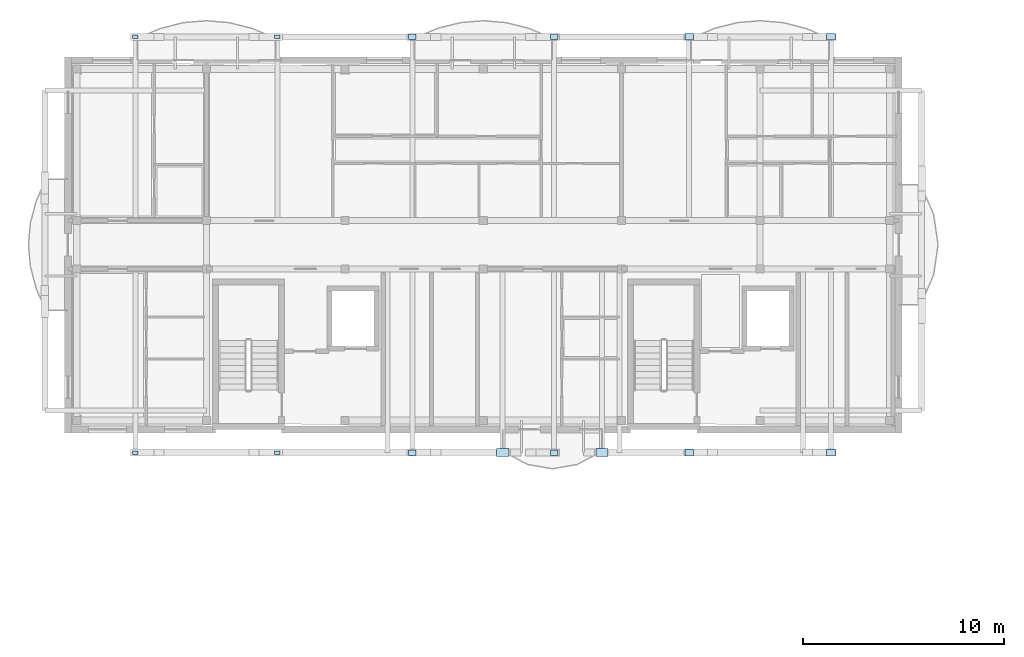
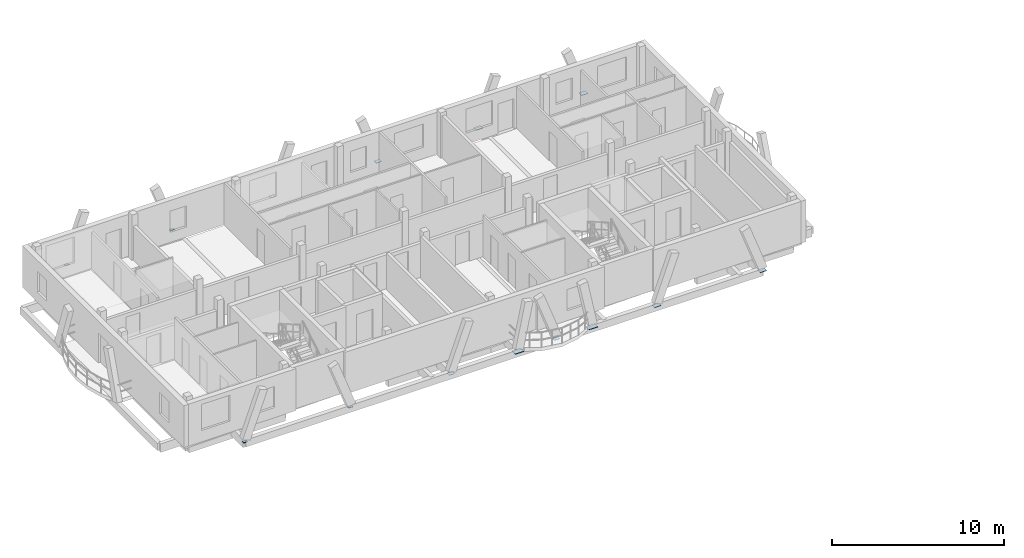
# One storey, part 8 of 21: 14 plates.
"""IFC4 building model written with IfcOpenShell, lengths in metres."""

import ifcopenshell
import ifcopenshell.guid

model = None  # the IFC model being written
_history = None  # IfcOwnerHistory: only IFC2X3 demands one
_inside = {}  # id of a spatial element -> (the spatial element, [elements in it])
_under = {}  # id of a project, library or spatial element -> (it, [spatial elements below it])
_declared = {}  # id of a project -> (the project, [libraries it declares])
_typed = {}  # id of a type object -> (the type object, [elements of that type])
_made_of = {}  # id of a material, layer set ... -> (it, [elements and type objects made of it])


def new_model(schema):
    """Start an empty IFC model of exactly this schema.

    Asked for "IFC4X3", IfcOpenShell would pick the latest addendum, in which some entities
    have other attributes; the version numbers below select the first issue.
    IFC2X3 requires an IfcOwnerHistory on every rooted entity: one is made here for all.
    """
    global model, _history
    if schema == "IFC4X3":
        model = ifcopenshell.file(schema_version=(4, 3, 0, 0))
    else:
        model = ifcopenshell.file(schema=schema)
    _inside.clear()
    _under.clear()
    _declared.clear()
    _typed.clear()
    _made_of.clear()
    _history = None
    if model.schema == "IFC2X3":
        org = make("IfcOrganization", Name="unknown")
        user = make(
            "IfcPersonAndOrganization",
            ThePerson=make("IfcPerson", FamilyName="unknown"),
            TheOrganization=org,
        )
        app = make(
            "IfcApplication",
            ApplicationDeveloper=org,
            Version="unknown",
            ApplicationFullName="unknown",
            ApplicationIdentifier="unknown",
        )
        _history = make(
            "IfcOwnerHistory",
            OwningUser=user,
            OwningApplication=app,
            ChangeAction="ADDED",
            CreationDate=0,
        )
    return model


def make(cls, **values):
    """One entity of the class cls with the attributes given. An attribute that is None is left unset."""
    return model.create_entity(
        cls, **{name: value for name, value in values.items() if value is not None}
    )


def rooted(cls, **values):
    """An entity with a GlobalId (a new one), such as an element, a storey or a relation."""
    return make(cls, GlobalId=ifcopenshell.guid.new(), OwnerHistory=_history, **values)


def si_unit(unit_type, name, prefix=None):
    """IfcSIUnit, for example si_unit("LENGTHUNIT", "METRE", prefix="MILLI")."""
    return make("IfcSIUnit", UnitType=unit_type, Prefix=prefix, Name=name)


def assignment(units):
    """IfcUnitAssignment: the units of a project."""
    return None if units is None else make("IfcUnitAssignment", Units=units)


def point(xyz):
    """IfcCartesianPoint."""
    return None if xyz is None else make("IfcCartesianPoint", Coordinates=xyz)


def direction(xyz):
    """IfcDirection."""
    return None if xyz is None else make("IfcDirection", DirectionRatios=xyz)


def frame(location, z_axis=None, x_axis=None):
    """IfcAxis2Placement3D, a coordinate frame: its origin and axes. An axis left out is left unset."""
    return make(
        "IfcAxis2Placement3D",
        Location=point(location),
        Axis=direction(z_axis),
        RefDirection=direction(x_axis),
    )


def frame_2d(location, x_axis=None):
    """IfcAxis2Placement2D, a coordinate frame in the plane: its origin and x axis."""
    return make(
        "IfcAxis2Placement2D", Location=point(location), RefDirection=direction(x_axis)
    )


def origin():
    """The frame at (0, 0, 0) with its axes left unset."""
    return frame((0.0, 0.0, 0.0))


def origin_2d():
    """The frame at (0, 0) in the plane with its x axis left unset."""
    return frame_2d((0.0, 0.0))


def place(relative_to, where):
    """IfcLocalPlacement: puts the frame where relative to a parent placement (None: the world)."""
    return make(
        "IfcLocalPlacement", PlacementRelTo=relative_to, RelativePlacement=where
    )


def context(
    kind, dimensions, precision=None, world=None, true_north=None, identifier=None
):
    """IfcGeometricRepresentationContext, for example the 3D "Model" context."""
    return make(
        "IfcGeometricRepresentationContext",
        ContextIdentifier=identifier,
        ContextType=kind,
        CoordinateSpaceDimension=dimensions,
        Precision=precision,
        WorldCoordinateSystem=world,
        TrueNorth=true_north,
    )


def subcontext(parent, identifier, kind, view, scale=None):
    """IfcGeometricRepresentationSubContext, for example "Body" below "Model"."""
    return make(
        "IfcGeometricRepresentationSubContext",
        ContextIdentifier=identifier,
        ContextType=kind,
        ParentContext=parent,
        TargetScale=scale,
        TargetView=view,
    )


def project(units=None, contexts=None):
    """IfcProject with its units and contexts."""
    return rooted(
        "IfcProject",
        Name="project",
        RepresentationContexts=contexts,
        UnitsInContext=assignment(units),
    )


def spatial(cls, under=None, at=None, **own):
    """A site, building, storey or space (cls), placed at a placement, below another one or the project."""
    s = rooted(cls, ObjectPlacement=at, **own)
    if under is not None:
        _under.setdefault(under.id(), (under, []))[1].append(s)
    return s


def profile(cls, at=None, kind="AREA", **sizes):
    """A parametric profile (cls). Its sizes go by their IFC names, for example OverallWidth=200.0."""
    return make(cls, ProfileType=kind, Position=at, **sizes)


def rectangle(**sizes):
    """IfcRectangleProfileDef."""
    return profile("IfcRectangleProfileDef", **sizes)


def extrude(swept, where, along, depth):
    """IfcExtrudedAreaSolid: the profile swept, set in the frame where, extruded along a direction by depth."""
    return make(
        "IfcExtrudedAreaSolid",
        SweptArea=swept,
        Position=where,
        ExtrudedDirection=direction(along),
        Depth=depth,
    )


def shape(context_of_items, identifier, shape_type, items):
    """IfcShapeRepresentation: the items that make up one representation, for example the "Body"."""
    return make(
        "IfcShapeRepresentation",
        ContextOfItems=context_of_items,
        RepresentationIdentifier=identifier,
        RepresentationType=shape_type,
        Items=items,
    )


def material(Name=None, Category=None):
    """IfcMaterial."""
    return make("IfcMaterial", Name=Name, Category=Category)


def layer(
    of_material, thickness, ventilated=None, Name=None, Category=None, Priority=None
):
    """IfcMaterialLayer: one layer of a wall or slab, of a material (None: an air gap)."""
    return make(
        "IfcMaterialLayer",
        Material=of_material,
        LayerThickness=thickness,
        IsVentilated=ventilated,
        Name=Name,
        Category=Category,
        Priority=Priority,
    )


def layer_set(layers, Name=None):
    """IfcMaterialLayerSet."""
    return make("IfcMaterialLayerSet", MaterialLayers=layers, LayerSetName=Name)


def made_of(thing, what):
    """Note that an element or type object is made of a material, layer set ...; save() writes the relation."""
    if what is not None:
        _made_of.setdefault(what.id(), (what, []))[1].append(thing)
    return thing


def type_object(cls, material=None, **own):
    """A type object (cls), such as IfcWallType, which elements share."""
    return made_of(rooted(cls, **own), material)


def element(
    cls,
    number,
    at=None,
    inside=None,
    cuts=None,
    type_object=None,
    material=None,
    context=None,
    identifier="Body",
    shape_type=None,
    held_by="IfcProductDefinitionShape",
    body=None,
    shapes=None,
    **own,
):
    """One element of the class cls, such as IfcWall. Its Tag is "e" and its number.

    at: its placement. inside: the storey or other place that contains it. cuts: it is an
    opening in that element (IfcRelVoidsElement). A single representation is given by context,
    identifier, shape_type and body (its items); several are given by shapes. held_by: the class
    of the entity that holds the representations. save() writes the other relations.
    """
    e = rooted(cls, Tag="e%d" % number, ObjectPlacement=at, **own)
    if body is not None:
        shapes = [shape(context, identifier, shape_type, body)]
    if shapes is not None:
        e.Representation = make(held_by, Representations=shapes)
    if inside is not None:
        _inside.setdefault(inside.id(), (inside, []))[1].append(e)
    if cuts is not None:
        rooted(
            "IfcRelVoidsElement", RelatingBuildingElement=cuts, RelatedOpeningElement=e
        )
    if type_object is not None:
        _typed.setdefault(type_object.id(), (type_object, []))[1].append(e)
    return made_of(e, material)


def aggregate(whole, parts):
    """IfcRelAggregates: a whole, such as a stair, and the parts it consists of."""
    return rooted("IfcRelAggregates", RelatingObject=whole, RelatedObjects=parts)


def save(model, path):
    """Write the relations noted so far, then the file.

    IfcRelAggregates (storeys below a building ...), IfcRelContainedInSpatialStructure (elements
    in a storey), IfcRelDefinesByType, IfcRelAssociatesMaterial and IfcRelDeclares: one each for
    every whole, place, type object, material and project.
    """
    for whole, parts in _under.values():
        aggregate(whole, parts)
    for where, things in _inside.values():
        rooted(
            "IfcRelContainedInSpatialStructure",
            RelatedElements=things,
            RelatingStructure=where,
        )
    for kind, things in _typed.values():
        rooted("IfcRelDefinesByType", RelatedObjects=things, RelatingType=kind)
    for what, things in _made_of.values():
        rooted("IfcRelAssociatesMaterial", RelatedObjects=things, RelatingMaterial=what)
    for by, libraries in _declared.values():
        rooted("IfcRelDeclares", RelatingContext=by, RelatedDefinitions=libraries)
    model.write(path)


model = new_model("IFC4")

# Units and contexts
model_context = context("Model", 3, precision=1e-05, world=origin(), true_north=direction((0.0, 1.0)))
body_context = subcontext(model_context, "Body", "Model", "MODEL_VIEW")
ifc_project = project(units=[si_unit("LENGTHUNIT", "METRE"), si_unit("AREAUNIT", "SQUARE_METRE"), si_unit("VOLUMEUNIT", "CUBIC_METRE"), si_unit("PLANEANGLEUNIT", "RADIAN"), si_unit("MASSUNIT", "GRAM", prefix="KILO")], contexts=[model_context])

# Site, building, storey
site_placement = place(None, origin())
site = spatial("IfcSite", under=ifc_project, at=site_placement, CompositionType="ELEMENT")
building_placement = place(site_placement, origin())
building = spatial("IfcBuilding", under=site, at=building_placement, Name="Zavelmont Quarter", CompositionType="ELEMENT")
storey_placement = place(building_placement, frame((0.0, 0.0, 36.800048828125)))
storey = spatial("IfcBuildingStorey", under=building, at=storey_placement, Name="L11", CompositionType="ELEMENT", Elevation=36.800048828125)

# Plates
ifc_material = material(Name="Steel S355", Category="steel")
ifc_layer_1 = layer(ifc_material, 0.02001953125)
ifc_layer_set_1 = layer_set([ifc_layer_1], Name="Steel S355")
plate_type_1 = type_object("IfcPlateType", Name="NP01", PredefinedType="SHEET", material=ifc_layer_set_1)
for number, where, z_axis, x_axis, name in (
    (1, (3.364501953125, 117.162109375, -0.2099609375), (0.0, 0.0, 1.0), (1.0, 0.0, 0.0), "L11 steel connection plate NP01 at 1/S"),
    (2, (10.435546875, 117.162109375, -0.2099609375), (0.0, 0.0, 1.0), (1.0, 0.0, 0.0), "L11 steel connection plate NP01 at 3/S"),
    (3, (3.364501953125, 96.43798828125, -0.2099609375), (0.0, 0.0, 1.0), (1.0, 0.0, 0.0), "L11 steel connection plate NP01 at 1/P"),
    (4, (10.435546875, 96.43798828125, -0.2099609375), (0.0, 0.0, 1.0), (1.0, 0.0, 0.0), "L11 steel connection plate NP01 at 3/P"),
):
    element("IfcPlate", number, at=place(storey_placement, frame(where, z_axis=z_axis, x_axis=x_axis)), inside=storey, type_object=plate_type_1, Name=name, PredefinedType="SHEET", context=body_context, shape_type="SweptSolid", body=[
        extrude(rectangle(XDim=0.280029296875, YDim=0.179931640625, at=origin_2d()), origin(), (0.0, 0.0, 1.0), 0.02001953125),
    ])
ifc_layer_2 = layer(ifc_material, 0.02392578125)
ifc_layer_set_2 = layer_set([ifc_layer_2], Name="Steel S355")
plate_type_2 = type_object("IfcPlateType", Name="NP02", PredefinedType="SHEET", material=ifc_layer_set_2)
for number, where, z_axis, x_axis, name in (
    (5, (17.16455078125, 117.162109375, -0.2119140625), (0.0, 0.0, 1.0), (1.0, 0.0, 0.0), "L11 steel connection plate NP02 at 3/S"),
    (6, (24.235595703125, 117.162109375, -0.2119140625), (0.0, 0.0, 1.0), (1.0, 0.0, 0.0), "L11 steel connection plate NP02 at 5/S"),
    (7, (17.16455078125, 96.43798828125, -0.2119140625), (0.0, 0.0, 1.0), (1.0, 0.0, 0.0), "L11 steel connection plate NP02 at 3/P"),
    (8, (24.235595703125, 96.43798828125, -0.2119140625), (0.0, 0.0, 1.0), (1.0, 0.0, 0.0), "L11 steel connection plate NP02 at 5/P"),
):
    element("IfcPlate", number, at=place(storey_placement, frame(where, z_axis=z_axis, x_axis=x_axis)), inside=storey, type_object=plate_type_2, Name=name, PredefinedType="SHEET", context=body_context, shape_type="SweptSolid", body=[
        extrude(rectangle(XDim=0.360107421875, YDim=0.260009765625, at=origin_2d()), origin(), (0.0, 0.0, 1.0), 0.02392578125),
    ])
ifc_layer_3 = layer(ifc_material, 0.02490234375)
ifc_layer_set_3 = layer_set([ifc_layer_3], Name="Steel S355")
plate_type_3 = type_object("IfcPlateType", Name="NP03", PredefinedType="SHEET", material=ifc_layer_set_3)
for number, where, z_axis, x_axis, name in (
    (9, (30.964599609375, 117.162109375, -0.21240234375), (0.0, 0.0, 1.0), (1.0, 0.0, 0.0), "L11 steel connection plate NP03 at 5/S"),
    (10, (38.035400390625, 117.162109375, -0.21240234375), (0.0, 0.0, 1.0), (1.0, 0.0, 0.0), "L11 steel connection plate NP03 at 7/S"),
    (11, (30.964599609375, 96.43798828125, -0.21240234375), (0.0, 0.0, 1.0), (1.0, 0.0, 0.0), "L11 steel connection plate NP03 at 5/P"),
    (12, (38.035400390625, 96.43798828125, -0.21240234375), (0.0, 0.0, 1.0), (1.0, 0.0, 0.0), "L11 steel connection plate NP03 at 7/P"),
):
    element("IfcPlate", number, at=place(storey_placement, frame(where, z_axis=z_axis, x_axis=x_axis)), inside=storey, type_object=plate_type_3, Name=name, PredefinedType="SHEET", context=body_context, shape_type="SweptSolid", body=[
        extrude(rectangle(XDim=0.43994140625, YDim=0.320068359375, at=origin_2d()), origin(), (0.0, 0.0, 1.0), 0.02490234375),
    ])
ifc_layer_4 = layer(ifc_material, 0.030029296875)
ifc_layer_set_4 = layer_set([ifc_layer_4], Name="Steel S355")
plate_type_4 = type_object("IfcPlateType", Name="NP05", PredefinedType="SHEET", material=ifc_layer_set_4)
for number, where, z_axis, x_axis, name in (
    (13, (21.6708984375, 96.43798828125, -0.21484375), (0.0, 0.0, 1.0), (1.0, 0.0, 0.0), "L11 steel connection plate NP05 at 4/P"),
    (14, (26.62890625, 96.43798828125, -0.21484375), (0.0, 0.0, 1.0), (1.0, 0.0, 0.0), "L11 steel connection plate NP05 at 5/P"),
):
    element("IfcPlate", number, at=place(storey_placement, frame(where, z_axis=z_axis, x_axis=x_axis)), inside=storey, type_object=plate_type_4, Name=name, PredefinedType="SHEET", context=body_context, shape_type="SweptSolid", body=[
        extrude(rectangle(XDim=0.60009765625, YDim=0.39990234375, at=origin_2d()), origin(), (0.0, 0.0, 1.0), 0.030029296875),
    ])

save(model, "model.ifc")
